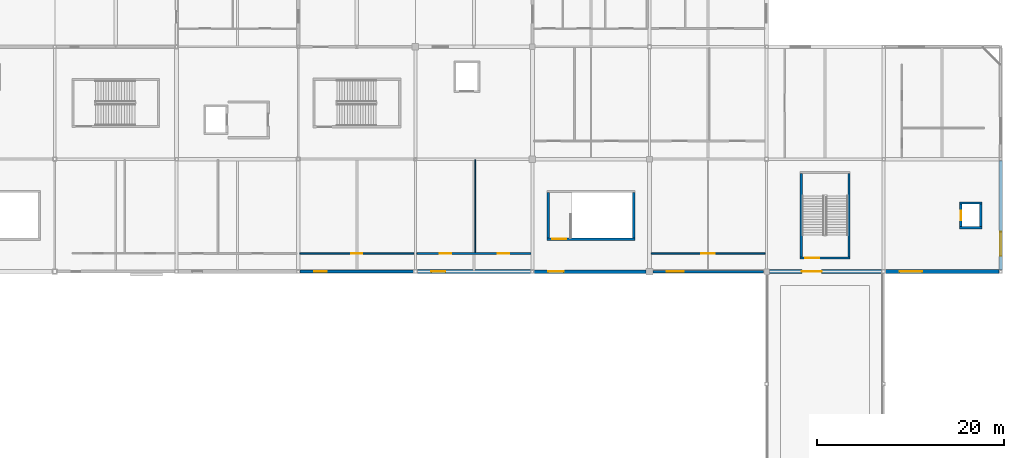
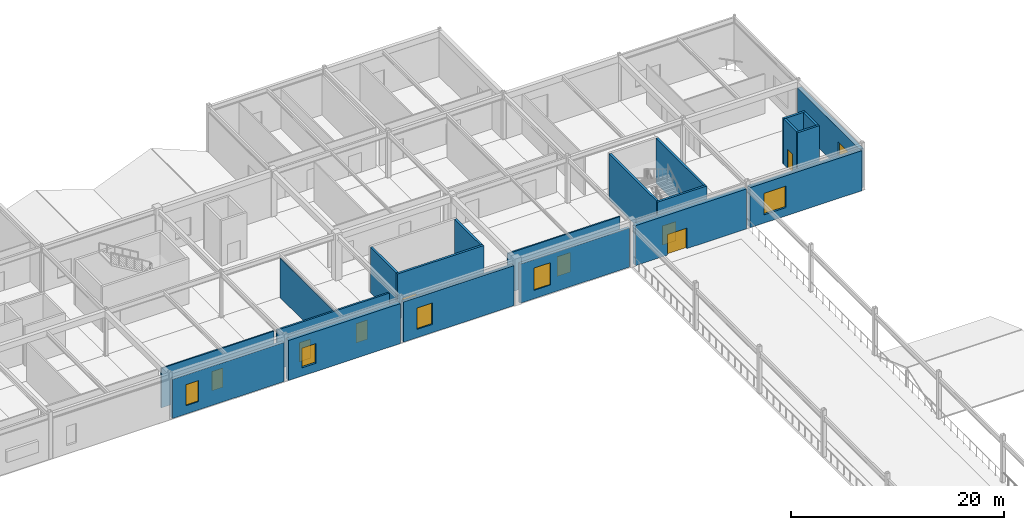
# One storey, part 79 of 105: 21 walls, 8 doors, 6 windows, 14 openings.
"""IFC4 building model written with IfcOpenShell, lengths in metres."""

import ifcopenshell
import ifcopenshell.guid

model = None  # the IFC model being written
_history = None  # IfcOwnerHistory: only IFC2X3 demands one
_inside = {}  # id of a spatial element -> (the spatial element, [elements in it])
_under = {}  # id of a project, library or spatial element -> (it, [spatial elements below it])
_declared = {}  # id of a project -> (the project, [libraries it declares])
_typed = {}  # id of a type object -> (the type object, [elements of that type])
_made_of = {}  # id of a material, layer set ... -> (it, [elements and type objects made of it])


def new_model(schema):
    """Start an empty IFC model of exactly this schema.

    Asked for "IFC4X3", IfcOpenShell would pick the latest addendum, in which some entities
    have other attributes; the version numbers below select the first issue.
    IFC2X3 requires an IfcOwnerHistory on every rooted entity: one is made here for all.
    """
    global model, _history
    if schema == "IFC4X3":
        model = ifcopenshell.file(schema_version=(4, 3, 0, 0))
    else:
        model = ifcopenshell.file(schema=schema)
    _inside.clear()
    _under.clear()
    _declared.clear()
    _typed.clear()
    _made_of.clear()
    _history = None
    if model.schema == "IFC2X3":
        org = make("IfcOrganization", Name="unknown")
        user = make(
            "IfcPersonAndOrganization",
            ThePerson=make("IfcPerson", FamilyName="unknown"),
            TheOrganization=org,
        )
        app = make(
            "IfcApplication",
            ApplicationDeveloper=org,
            Version="unknown",
            ApplicationFullName="unknown",
            ApplicationIdentifier="unknown",
        )
        _history = make(
            "IfcOwnerHistory",
            OwningUser=user,
            OwningApplication=app,
            ChangeAction="ADDED",
            CreationDate=0,
        )
    return model


def make(cls, **values):
    """One entity of the class cls with the attributes given. An attribute that is None is left unset."""
    return model.create_entity(
        cls, **{name: value for name, value in values.items() if value is not None}
    )


def rooted(cls, **values):
    """An entity with a GlobalId (a new one), such as an element, a storey or a relation."""
    return make(cls, GlobalId=ifcopenshell.guid.new(), OwnerHistory=_history, **values)


def si_unit(unit_type, name, prefix=None):
    """IfcSIUnit, for example si_unit("LENGTHUNIT", "METRE", prefix="MILLI")."""
    return make("IfcSIUnit", UnitType=unit_type, Prefix=prefix, Name=name)


def assignment(units):
    """IfcUnitAssignment: the units of a project."""
    return None if units is None else make("IfcUnitAssignment", Units=units)


def point(xyz):
    """IfcCartesianPoint."""
    return None if xyz is None else make("IfcCartesianPoint", Coordinates=xyz)


def direction(xyz):
    """IfcDirection."""
    return None if xyz is None else make("IfcDirection", DirectionRatios=xyz)


def frame(location, z_axis=None, x_axis=None):
    """IfcAxis2Placement3D, a coordinate frame: its origin and axes. An axis left out is left unset."""
    return make(
        "IfcAxis2Placement3D",
        Location=point(location),
        Axis=direction(z_axis),
        RefDirection=direction(x_axis),
    )


def frame_2d(location, x_axis=None):
    """IfcAxis2Placement2D, a coordinate frame in the plane: its origin and x axis."""
    return make(
        "IfcAxis2Placement2D", Location=point(location), RefDirection=direction(x_axis)
    )


def origin():
    """The frame at (0, 0, 0) with its axes left unset."""
    return frame((0.0, 0.0, 0.0))


def place(relative_to, where):
    """IfcLocalPlacement: puts the frame where relative to a parent placement (None: the world)."""
    return make(
        "IfcLocalPlacement", PlacementRelTo=relative_to, RelativePlacement=where
    )


def context(
    kind, dimensions, precision=None, world=None, true_north=None, identifier=None
):
    """IfcGeometricRepresentationContext, for example the 3D "Model" context."""
    return make(
        "IfcGeometricRepresentationContext",
        ContextIdentifier=identifier,
        ContextType=kind,
        CoordinateSpaceDimension=dimensions,
        Precision=precision,
        WorldCoordinateSystem=world,
        TrueNorth=true_north,
    )


def subcontext(parent, identifier, kind, view, scale=None):
    """IfcGeometricRepresentationSubContext, for example "Body" below "Model"."""
    return make(
        "IfcGeometricRepresentationSubContext",
        ContextIdentifier=identifier,
        ContextType=kind,
        ParentContext=parent,
        TargetScale=scale,
        TargetView=view,
    )


def project(units=None, contexts=None):
    """IfcProject with its units and contexts."""
    return rooted(
        "IfcProject",
        Name="project",
        RepresentationContexts=contexts,
        UnitsInContext=assignment(units),
    )


def spatial(cls, under=None, at=None, **own):
    """A site, building, storey or space (cls), placed at a placement, below another one or the project."""
    s = rooted(cls, ObjectPlacement=at, **own)
    if under is not None:
        _under.setdefault(under.id(), (under, []))[1].append(s)
    return s


def profile(cls, at=None, kind="AREA", **sizes):
    """A parametric profile (cls). Its sizes go by their IFC names, for example OverallWidth=200.0."""
    return make(cls, ProfileType=kind, Position=at, **sizes)


def rectangle(**sizes):
    """IfcRectangleProfileDef."""
    return profile("IfcRectangleProfileDef", **sizes)


def extrude(swept, where, along, depth):
    """IfcExtrudedAreaSolid: the profile swept, set in the frame where, extruded along a direction by depth."""
    return make(
        "IfcExtrudedAreaSolid",
        SweptArea=swept,
        Position=where,
        ExtrudedDirection=direction(along),
        Depth=depth,
    )


def shape(context_of_items, identifier, shape_type, items):
    """IfcShapeRepresentation: the items that make up one representation, for example the "Body"."""
    return make(
        "IfcShapeRepresentation",
        ContextOfItems=context_of_items,
        RepresentationIdentifier=identifier,
        RepresentationType=shape_type,
        Items=items,
    )


def material(Name=None, Category=None):
    """IfcMaterial."""
    return make("IfcMaterial", Name=Name, Category=Category)


def layer(
    of_material, thickness, ventilated=None, Name=None, Category=None, Priority=None
):
    """IfcMaterialLayer: one layer of a wall or slab, of a material (None: an air gap)."""
    return make(
        "IfcMaterialLayer",
        Material=of_material,
        LayerThickness=thickness,
        IsVentilated=ventilated,
        Name=Name,
        Category=Category,
        Priority=Priority,
    )


def layer_set(layers, Name=None):
    """IfcMaterialLayerSet."""
    return make("IfcMaterialLayerSet", MaterialLayers=layers, LayerSetName=Name)


def made_of(thing, what):
    """Note that an element or type object is made of a material, layer set ...; save() writes the relation."""
    if what is not None:
        _made_of.setdefault(what.id(), (what, []))[1].append(thing)
    return thing


def type_object(cls, material=None, **own):
    """A type object (cls), such as IfcWallType, which elements share."""
    return made_of(rooted(cls, **own), material)


def element(
    cls,
    number,
    at=None,
    inside=None,
    cuts=None,
    type_object=None,
    material=None,
    context=None,
    identifier="Body",
    shape_type=None,
    held_by="IfcProductDefinitionShape",
    body=None,
    shapes=None,
    **own,
):
    """One element of the class cls, such as IfcWall. Its Tag is "e" and its number.

    at: its placement. inside: the storey or other place that contains it. cuts: it is an
    opening in that element (IfcRelVoidsElement). A single representation is given by context,
    identifier, shape_type and body (its items); several are given by shapes. held_by: the class
    of the entity that holds the representations. save() writes the other relations.
    """
    e = rooted(cls, Tag="e%d" % number, ObjectPlacement=at, **own)
    if body is not None:
        shapes = [shape(context, identifier, shape_type, body)]
    if shapes is not None:
        e.Representation = make(held_by, Representations=shapes)
    if inside is not None:
        _inside.setdefault(inside.id(), (inside, []))[1].append(e)
    if cuts is not None:
        rooted(
            "IfcRelVoidsElement", RelatingBuildingElement=cuts, RelatedOpeningElement=e
        )
    if type_object is not None:
        _typed.setdefault(type_object.id(), (type_object, []))[1].append(e)
    return made_of(e, material)


def fill(opening, filler):
    """IfcRelFillsElement: the door or window that sits in an opening."""
    return rooted(
        "IfcRelFillsElement",
        RelatingOpeningElement=opening,
        RelatedBuildingElement=filler,
    )


def aggregate(whole, parts):
    """IfcRelAggregates: a whole, such as a stair, and the parts it consists of."""
    return rooted("IfcRelAggregates", RelatingObject=whole, RelatedObjects=parts)


def save(model, path):
    """Write the relations noted so far, then the file.

    IfcRelAggregates (storeys below a building ...), IfcRelContainedInSpatialStructure (elements
    in a storey), IfcRelDefinesByType, IfcRelAssociatesMaterial and IfcRelDeclares: one each for
    every whole, place, type object, material and project.
    """
    for whole, parts in _under.values():
        aggregate(whole, parts)
    for where, things in _inside.values():
        rooted(
            "IfcRelContainedInSpatialStructure",
            RelatedElements=things,
            RelatingStructure=where,
        )
    for kind, things in _typed.values():
        rooted("IfcRelDefinesByType", RelatedObjects=things, RelatingType=kind)
    for what, things in _made_of.values():
        rooted("IfcRelAssociatesMaterial", RelatedObjects=things, RelatingMaterial=what)
    for by, libraries in _declared.values():
        rooted("IfcRelDeclares", RelatingContext=by, RelatedDefinitions=libraries)
    model.write(path)


model = new_model("IFC4")

# Units and contexts
model_context = context("Model", 3, precision=1e-05, world=origin(), true_north=direction((0.0, 1.0)))
body_context = subcontext(model_context, "Body", "Model", "MODEL_VIEW")
ifc_project = project(units=[si_unit("LENGTHUNIT", "METRE"), si_unit("AREAUNIT", "SQUARE_METRE"), si_unit("VOLUMEUNIT", "CUBIC_METRE"), si_unit("PLANEANGLEUNIT", "RADIAN"), si_unit("MASSUNIT", "GRAM", prefix="KILO")], contexts=[model_context])

# Site, building, storey
site_placement = place(None, origin())
site = spatial("IfcSite", under=ifc_project, at=site_placement, CompositionType="ELEMENT")
building_placement = place(site_placement, origin())
building = spatial("IfcBuilding", under=site, at=building_placement, Name="Kazenohara Klinker Stadium", CompositionType="ELEMENT")
storey_placement = place(building_placement, frame((0.0, 0.0, 20.39990234375)))
storey = spatial("IfcBuildingStorey", under=building, at=storey_placement, Name="L04", CompositionType="ELEMENT", Elevation=20.39990234375)

# Wall, opening, door
ifc_material_1 = material(Name="Concrete C40/50", Category="concrete")
ifc_layer_1 = layer(ifc_material_1, 0.22998046875)
ifc_layer_set_1 = layer_set([ifc_layer_1], Name="Concrete C40/50")
wall_type_1 = type_object("IfcWallType", Name="WAL-CORE-230", PredefinedType="SHEAR", material=ifc_layer_set_1)
wall_1_placement = place(storey_placement, frame((178.590087890625, 133.43505859375, 0.0), z_axis=(0.0, 0.0, 1.0), x_axis=(1.0, 0.0, 0.0)))
wall_1 = element("IfcWall", 1, at=wall_1_placement, inside=storey, type_object=wall_type_1, Name="Stairwell shear wall ST12 L04 South", PredefinedType="SHEAR", context=body_context, shape_type="SweptSolid", body=[
    extrude(rectangle(XDim=5.31982421875, YDim=0.22998046875, at=frame_2d((2.659912109375, 0.0))), origin(), (0.0, 0.0, 1.0), 5.18017578125),
])
opening_1_placement = place(wall_1_placement, frame((0.550048828125, 0.0, 0.0)))
opening_1 = element("IfcOpeningElement", 2, at=opening_1_placement, cuts=wall_1, Name="Opening SD02", PredefinedType="OPENING", context=body_context, shape_type="SweptSolid", body=[
    extrude(rectangle(XDim=1.5, YDim=2.199951171875, at=frame_2d((0.75, 1.10009765625))), frame((0.0, 0.125, 0.0), z_axis=(0.0, -1.0, 0.0), x_axis=(1.0, 0.0, 0.0)), (0.0, 0.0, 1.0), 0.25),
])
ifc_material_2 = material(Name="Flush painted steel fire door leaf", Category="steel")
door_type_1 = type_object("IfcDoorType", Name="DR-STR-1500x2200", OperationType="NOTDEFINED", PredefinedType="DOOR", material=ifc_material_2)
door_1_placement = place(opening_1_placement, origin())
door_1 = element("IfcDoor", 3, at=door_1_placement, inside=storey, type_object=door_type_1, Name="Escape stairwell fire door ST12-L04", OperationType="SINGLE_SWING_LEFT", OverallHeight=2.199951171875, OverallWidth=1.5, PredefinedType="DOOR", context=body_context, shape_type="SweptSolid", body=[
    extrude(rectangle(XDim=1.5, YDim=2.199951171875, at=frame_2d((0.75, 1.10009765625))), frame((0.0, 0.02490234375, 0.0), z_axis=(0.0, -1.0, 0.0), x_axis=(1.0, 0.0, 0.0)), (0.0, 0.0, 1.0), 0.050048828125),
])
fill(opening_1, door_1)

# Walls
for number, where, z_axis, x_axis, name in (
    (4, (178.705078125, 133.550048828125, 0.0), (0.0, 0.0, 1.0), (0.0, 1.0, 0.0), "Stairwell shear wall ST12 L04 West"),
    (5, (183.794921875, 133.550048828125, 0.0), (0.0, 0.0, 1.0), (0.0, 1.0, 0.0), "Stairwell shear wall ST12 L04 East"),
):
    element("IfcWall", number, at=place(storey_placement, frame(where, z_axis=z_axis, x_axis=x_axis)), inside=storey, type_object=wall_type_1, Name=name, PredefinedType="SHEAR", context=body_context, shape_type="SweptSolid", body=[
        extrude(rectangle(XDim=8.89990234375, YDim=0.22998046875, at=frame_2d((4.449951171875, 0.0))), origin(), (0.0, 0.0, 1.0), 5.18017578125),
    ])

# Wall, opening, door
wall_2_placement = place(storey_placement, frame((151.570068359375, 135.455078125, 0.0), z_axis=(0.0, 0.0, 1.0), x_axis=(1.0, 0.0, 0.0)))
wall_2 = element("IfcWall", 6, at=wall_2_placement, inside=storey, type_object=wall_type_1, Name="Stairwell shear wall ST20 L04 South", PredefinedType="SHEAR", context=body_context, shape_type="SweptSolid", body=[
    extrude(rectangle(XDim=9.35986328125, YDim=0.22998046875, at=frame_2d((4.679931640625, 0.0))), origin(), (0.0, 0.0, 1.0), 5.18017578125),
])
opening_2_placement = place(wall_2_placement, frame((0.550048828125, 0.0, 0.0)))
opening_2 = element("IfcOpeningElement", 7, at=opening_2_placement, cuts=wall_2, Name="Opening SD02", PredefinedType="OPENING", context=body_context, shape_type="SweptSolid", body=[
    extrude(rectangle(XDim=1.5, YDim=2.199951171875, at=frame_2d((0.75, 1.10009765625))), frame((0.0, 0.125, 0.0), z_axis=(0.0, -1.0, 0.0), x_axis=(1.0, 0.0, 0.0)), (0.0, 0.0, 1.0), 0.25),
])
door_2_placement = place(opening_2_placement, origin())
door_2 = element("IfcDoor", 8, at=door_2_placement, inside=storey, type_object=door_type_1, Name="Escape stairwell fire door ST20-L04", OperationType="SINGLE_SWING_RIGHT", OverallHeight=2.199951171875, OverallWidth=1.5, PredefinedType="DOOR", context=body_context, shape_type="SweptSolid", body=[
    extrude(rectangle(XDim=1.5, YDim=2.199951171875, at=frame_2d((0.75, 1.10009765625))), frame((0.0, 0.02490234375, 0.0), z_axis=(0.0, -1.0, 0.0), x_axis=(1.0, 0.0, 0.0)), (0.0, 0.0, 1.0), 0.050048828125),
])
fill(opening_2, door_2)

# Walls
for number, where, z_axis, x_axis, name in (
    (9, (151.68505859375, 135.570068359375, 0.0), (0.0, 0.0, 1.0), (0.0, 1.0, 0.0), "Stairwell shear wall ST20 L04 West"),
    (10, (160.81494140625, 135.570068359375, 0.0), (0.0, 0.0, 1.0), (0.0, 1.0, 0.0), "Stairwell shear wall ST20 L04 East"),
):
    element("IfcWall", number, at=place(storey_placement, frame(where, z_axis=z_axis, x_axis=x_axis)), inside=storey, type_object=wall_type_1, Name=name, PredefinedType="SHEAR", context=body_context, shape_type="SweptSolid", body=[
        extrude(rectangle(XDim=4.85986328125, YDim=0.22998046875, at=frame_2d((2.429931640625, 0.0))), origin(), (0.0, 0.0, 1.0), 5.18017578125),
    ])
for number, where, z_axis, x_axis, name in (
    (11, (195.6201171875, 136.68505859375, 0.0), (0.0, 0.0, 1.0), (1.0, 0.0, 0.0), "Elevator shaft wall LP05 L04 South"),
    (12, (195.6201171875, 139.31494140625, 0.0), (0.0, 0.0, 1.0), (1.0, 0.0, 0.0), "Elevator shaft wall LP05 L04 North"),
):
    element("IfcWall", number, at=place(storey_placement, frame(where, z_axis=z_axis, x_axis=x_axis)), inside=storey, type_object=wall_type_1, Name=name, PredefinedType="SHEAR", context=body_context, shape_type="SweptSolid", body=[
        extrude(rectangle(XDim=2.35986328125, YDim=0.22998046875, at=frame_2d((1.179931640625, 0.0))), origin(), (0.0, 0.0, 1.0), 5.18017578125),
    ])

# Wall, opening, door
wall_3_placement = place(storey_placement, frame((195.735107421875, 136.800048828125, 0.0), z_axis=(0.0, 0.0, 1.0), x_axis=(0.0, 1.0, 0.0)))
wall_3 = element("IfcWall", 13, at=wall_3_placement, inside=storey, type_object=wall_type_1, Name="Elevator shaft wall LP05 L04 West", PredefinedType="SHEAR", context=body_context, shape_type="SweptSolid", body=[
    extrude(rectangle(XDim=2.39990234375, YDim=0.22998046875, at=frame_2d((1.199951171875, 0.0))), origin(), (0.0, 0.0, 1.0), 5.18017578125),
])
opening_3_placement = place(wall_3_placement, frame((0.699951171875, 0.0, 0.0)))
opening_3 = element("IfcOpeningElement", 14, at=opening_3_placement, cuts=wall_3, Name="Opening LD02", PredefinedType="OPENING", context=body_context, shape_type="SweptSolid", body=[
    extrude(rectangle(XDim=1.0, YDim=2.14990234375, at=frame_2d((0.5, 1.074951171875))), frame((0.0, 0.125, 0.0), z_axis=(0.0, -1.0, 0.0), x_axis=(1.0, 0.0, 0.0)), (0.0, 0.0, 1.0), 0.25),
])
ifc_material_3 = material(Name="Stainless steel sliding landing door", Category="steel")
door_type_2 = type_object("IfcDoorType", Name="DR-LD02-1000x2150", OperationType="NOTDEFINED", PredefinedType="DOOR", material=ifc_material_3)
door_3_placement = place(opening_3_placement, origin())
door_3 = element("IfcDoor", 15, at=door_3_placement, inside=storey, type_object=door_type_2, Name="Elevator sliding landing door LP05-L04", OperationType="DOUBLE_DOOR_SLIDING", OverallHeight=2.14990234375, OverallWidth=1.0, PredefinedType="DOOR", context=body_context, shape_type="SweptSolid", body=[
    extrude(rectangle(XDim=1.0, YDim=2.14990234375, at=frame_2d((0.5, 1.074951171875))), frame((0.0, 0.02490234375, 0.0), z_axis=(0.0, -1.0, 0.0), x_axis=(1.0, 0.0, 0.0)), (0.0, 0.0, 1.0), 0.050048828125),
])
fill(opening_3, door_3)

# Wall
wall_4_placement = place(storey_placement, frame((197.864990234375, 136.800048828125, 0.0), z_axis=(0.0, 0.0, 1.0), x_axis=(0.0, 1.0, 0.0)))
element("IfcWall", 16, at=wall_4_placement, inside=storey, type_object=wall_type_1, Name="Elevator shaft wall LP05 L04 East", PredefinedType="SHEAR", context=body_context, shape_type="SweptSolid", body=[
    extrude(rectangle(XDim=2.39990234375, YDim=0.22998046875, at=frame_2d((1.199951171875, 0.0))), origin(), (0.0, 0.0, 1.0), 5.18017578125),
])

# Wall, opening, window
ifc_material_4 = material(Name="Clinker brick masonry", Category="masonry")
ifc_layer_2 = layer(ifc_material_4, 0.280029296875)
ifc_layer_set_2 = layer_set([ifc_layer_2], Name="Clinker brick masonry")
wall_type_2 = type_object("IfcWallType", Name="WAL-EXT-CB280", PredefinedType="SOLIDWALL", material=ifc_layer_set_2)
wall_5_placement = place(storey_placement, frame((162.85400390625, 132.0, 0.0), z_axis=(0.0, 0.0, 1.0), x_axis=(1.0, 0.0, 0.0)))
wall_5 = element("IfcWall", 17, at=wall_5_placement, inside=storey, type_object=wall_type_2, Name="Clinker brick cavity wall EW06 L04 X13-11", PredefinedType="SOLIDWALL", context=body_context, shape_type="SweptSolid", body=[
    extrude(rectangle(XDim=11.842041015625, YDim=0.280029296875, at=frame_2d((5.9208984375, 0.0))), origin(), (0.0, 0.0, 1.0), 4.47998046875),
])
opening_4_placement = place(wall_5_placement, frame((1.5, 0.0, 0.949951171875)))
opening_4 = element("IfcOpeningElement", 18, at=opening_4_placement, cuts=wall_5, Name="Opening W15", PredefinedType="OPENING", context=body_context, shape_type="SweptSolid", body=[
    extrude(rectangle(XDim=1.800048828125, YDim=2.550048828125, at=frame_2d((0.89990234375, 1.27490234375))), frame((0.0, 0.14990234375, 0.0), z_axis=(0.0, -1.0, 0.0), x_axis=(1.0, 0.0, 0.0)), (0.0, 0.0, 1.0), 0.300048828125),
])
ifc_material_5 = material(Name="Dark bronze aluminium frame and triple glazing", Category="aluminium")
window_type_1 = type_object("IfcWindowType", Name="WIN-AS-15", PartitioningType="SINGLE_PANEL", PredefinedType="WINDOW", material=ifc_material_5)
window_1_placement = place(opening_4_placement, origin())
window_1 = element("IfcWindow", 19, at=window_1_placement, inside=storey, type_object=window_type_1, Name="Horizontal-mullion ladder window W15 L04 X13-11", OverallHeight=2.550048828125, OverallWidth=1.800048828125, PartitioningType="SINGLE_PANEL", PredefinedType="WINDOW", context=body_context, shape_type="SweptSolid", body=[
    extrude(rectangle(XDim=1.800048828125, YDim=2.550048828125, at=frame_2d((0.89990234375, 1.27490234375))), frame((0.0, 0.030029296875, 0.0), z_axis=(0.0, -1.0, 0.0), x_axis=(1.0, 0.0, 0.0)), (0.0, 0.0, 1.0), 0.06005859375),
])
fill(opening_4, window_1)

ifc_layer_3 = layer(ifc_material_4, 0.31005859375)
ifc_layer_set_3 = layer_set([ifc_layer_3], Name="Clinker brick masonry")
wall_type_3 = type_object("IfcWallType", Name="WAL-EXT-CB310", PredefinedType="SOLIDWALL", material=ifc_layer_set_3)
wall_6_placement = place(storey_placement, frame((125.178955078125, 132.0, 0.0), z_axis=(0.0, 0.0, 1.0), x_axis=(1.0, 0.0, 0.0)))
wall_6 = element("IfcWall", 20, at=wall_6_placement, inside=storey, type_object=wall_type_3, Name="Clinker brick cavity wall EW05 L04 X10-11", PredefinedType="SOLIDWALL", context=body_context, shape_type="SweptSolid", body=[
    extrude(rectangle(XDim=12.116943359375, YDim=0.31005859375, at=frame_2d((6.05859375, 0.0))), origin(), (0.0, 0.0, 1.0), 4.47998046875),
])
opening_5_placement = place(wall_6_placement, frame((1.5, 0.0, 0.949951171875)))
opening_5 = element("IfcOpeningElement", 21, at=opening_5_placement, cuts=wall_6, Name="Opening W08", PredefinedType="OPENING", context=body_context, shape_type="SweptSolid", body=[
    extrude(rectangle(XDim=1.35009765625, YDim=2.39990234375, at=frame_2d((0.675048828125, 1.199951171875))), frame((0.0, 0.1650390625, 0.0), z_axis=(0.0, -1.0, 0.0), x_axis=(1.0, 0.0, 0.0)), (0.0, 0.0, 1.0), 0.330078125),
])
window_type_2 = type_object("IfcWindowType", Name="WIN-AS-08", PartitioningType="SINGLE_PANEL", PredefinedType="WINDOW", material=ifc_material_5)
window_2_placement = place(opening_5_placement, origin())
window_2 = element("IfcWindow", 22, at=window_2_placement, inside=storey, type_object=window_type_2, Name="Horizontal-mullion ladder window W08 L04 X10-11", OverallHeight=2.39990234375, OverallWidth=1.35009765625, PartitioningType="SINGLE_PANEL", PredefinedType="WINDOW", context=body_context, shape_type="SweptSolid", body=[
    extrude(rectangle(XDim=1.35009765625, YDim=2.39990234375, at=frame_2d((0.675048828125, 1.199951171875))), frame((0.0, 0.030029296875, 0.0), z_axis=(0.0, -1.0, 0.0), x_axis=(1.0, 0.0, 0.0)), (0.0, 0.0, 1.0), 0.06005859375),
])
fill(opening_5, window_2)

ifc_layer_4 = layer(ifc_material_4, 0.3701171875)
ifc_layer_set_4 = layer_set([ifc_layer_4], Name="Clinker brick masonry")
wall_type_4 = type_object("IfcWallType", Name="WAL-EXT-CB370", PredefinedType="SOLIDWALL", material=ifc_layer_set_4)
wall_7_placement = place(storey_placement, frame((150.178955078125, 132.0, 0.0), z_axis=(0.0, 0.0, 1.0), x_axis=(1.0, 0.0, 0.0)))
wall_7 = element("IfcWall", 23, at=wall_7_placement, inside=storey, type_object=wall_type_4, Name="Clinker brick cavity wall EW03 L04 X12-11", PredefinedType="SOLIDWALL", context=body_context, shape_type="SweptSolid", body=[
    extrude(rectangle(XDim=11.967041015625, YDim=0.3701171875, at=frame_2d((5.9833984375, 0.0))), origin(), (0.0, 0.0, 1.0), 4.592041015625),
])
opening_6_placement = place(wall_7_placement, frame((1.5, 0.0, 0.949951171875)))
opening_6 = element("IfcOpeningElement", 24, at=opening_6_placement, cuts=wall_7, Name="Opening W12", PredefinedType="OPENING", context=body_context, shape_type="SweptSolid", body=[
    extrude(rectangle(XDim=1.64990234375, YDim=2.449951171875, at=frame_2d((0.824951171875, 1.22509765625))), frame((0.0, 0.195068359375, 0.0), z_axis=(0.0, -1.0, 0.0), x_axis=(1.0, 0.0, 0.0)), (0.0, 0.0, 1.0), 0.39013671875),
])
window_type_3 = type_object("IfcWindowType", Name="WIN-AS-12", PartitioningType="SINGLE_PANEL", PredefinedType="WINDOW", material=ifc_material_5)
window_3_placement = place(opening_6_placement, origin())
window_3 = element("IfcWindow", 25, at=window_3_placement, inside=storey, type_object=window_type_3, Name="Horizontal-mullion ladder window W12 L04 X12-11", OverallHeight=2.449951171875, OverallWidth=1.64990234375, PartitioningType="SINGLE_PANEL", PredefinedType="WINDOW", context=body_context, shape_type="SweptSolid", body=[
    extrude(rectangle(XDim=1.64990234375, YDim=2.449951171875, at=frame_2d((0.824951171875, 1.22509765625))), frame((0.0, 0.030029296875, 0.0), z_axis=(0.0, -1.0, 0.0), x_axis=(1.0, 0.0, 0.0)), (0.0, 0.0, 1.0), 0.06005859375),
])
fill(opening_6, window_3)

ifc_layer_5 = layer(ifc_material_4, 0.409912109375)
ifc_layer_set_5 = layer_set([ifc_layer_5], Name="Clinker brick masonry")
wall_type_5 = type_object("IfcWallType", Name="WAL-EXT-CB410", PredefinedType="SOLIDWALL", material=ifc_layer_set_5)
wall_8_placement = place(storey_placement, frame((200.0, 132.178955078125, 0.0), z_axis=(0.0, 0.0, 1.0), x_axis=(0.0, 1.0, 0.0)))
wall_8 = element("IfcWall", 26, at=wall_8_placement, inside=storey, type_object=wall_type_5, Name="Clinker brick cavity wall EW02 L04 Y16-11", PredefinedType="SOLIDWALL", context=body_context, shape_type="SweptSolid", body=[
    extrude(rectangle(XDim=11.6669921875, YDim=0.409912109375, at=frame_2d((5.83349609375, 0.0))), origin(), (0.0, 0.0, 1.0), 4.47998046875),
])
opening_7_placement = place(wall_8_placement, frame((1.5, 0.0, 0.949951171875)))
opening_7 = element("IfcOpeningElement", 27, at=opening_7_placement, cuts=wall_8, Name="Opening W26", PredefinedType="OPENING", context=body_context, shape_type="SweptSolid", body=[
    extrude(rectangle(XDim=2.550048828125, YDim=1.949951171875, at=frame_2d((1.27490234375, 0.97509765625))), frame((0.0, 0.21484375, 0.0), z_axis=(0.0, -1.0, 0.0), x_axis=(1.0, 0.0, 0.0)), (0.0, 0.0, 1.0), 0.429931640625),
])
window_type_4 = type_object("IfcWindowType", Name="WIN-AS-26", PartitioningType="SINGLE_PANEL", PredefinedType="WINDOW", material=ifc_material_5)
window_4_placement = place(opening_7_placement, origin())
window_4 = element("IfcWindow", 28, at=window_4_placement, inside=storey, type_object=window_type_4, Name="Horizontal-mullion ladder window W26 L04 Y16-11", OverallHeight=1.949951171875, OverallWidth=2.550048828125, PartitioningType="SINGLE_PANEL", PredefinedType="WINDOW", context=body_context, shape_type="SweptSolid", body=[
    extrude(rectangle(XDim=2.550048828125, YDim=1.949951171875, at=frame_2d((1.27490234375, 0.97509765625))), frame((0.0, 0.030029296875, 0.0), z_axis=(0.0, -1.0, 0.0), x_axis=(1.0, 0.0, 0.0)), (0.0, 0.0, 1.0), 0.06005859375),
])
fill(opening_7, window_4)

ifc_layer_6 = layer(ifc_material_4, 0.449951171875)
ifc_layer_set_6 = layer_set([ifc_layer_6], Name="Clinker brick masonry")
wall_type_6 = type_object("IfcWallType", Name="WAL-EXT-CB450", PredefinedType="SOLIDWALL", material=ifc_layer_set_6)
wall_9_placement = place(storey_placement, frame((137.7041015625, 132.0, 0.0), z_axis=(0.0, 0.0, 1.0), x_axis=(1.0, 0.0, 0.0)))
wall_9 = element("IfcWall", 29, at=wall_9_placement, inside=storey, type_object=wall_type_6, Name="Clinker brick cavity wall EW01 L04 X11-11", PredefinedType="SOLIDWALL", context=body_context, shape_type="SweptSolid", body=[
    extrude(rectangle(XDim=12.116943359375, YDim=0.449951171875, at=frame_2d((6.05859375, 0.0))), origin(), (0.0, 0.0, 1.0), 4.580078125),
])
opening_8_placement = place(wall_9_placement, frame((1.5, 0.0, 0.949951171875)))
opening_8 = element("IfcOpeningElement", 30, at=opening_8_placement, cuts=wall_9, Name="Opening W10", PredefinedType="OPENING", context=body_context, shape_type="SweptSolid", body=[
    extrude(rectangle(XDim=1.5, YDim=2.25, at=frame_2d((0.75, 1.125))), frame((0.0, 0.23486328125, 0.0), z_axis=(0.0, -1.0, 0.0), x_axis=(1.0, 0.0, 0.0)), (0.0, 0.0, 1.0), 0.469970703125),
])
window_type_5 = type_object("IfcWindowType", Name="WIN-AS-10", PartitioningType="SINGLE_PANEL", PredefinedType="WINDOW", material=ifc_material_5)
window_5_placement = place(opening_8_placement, origin())
window_5 = element("IfcWindow", 31, at=window_5_placement, inside=storey, type_object=window_type_5, Name="Horizontal-mullion ladder window W10 L04 X11-11", OverallHeight=2.25, OverallWidth=1.5, PartitioningType="SINGLE_PANEL", PredefinedType="WINDOW", context=body_context, shape_type="SweptSolid", body=[
    extrude(rectangle(XDim=1.5, YDim=2.25, at=frame_2d((0.75, 1.125))), frame((0.0, 0.030029296875, 0.0), z_axis=(0.0, -1.0, 0.0), x_axis=(1.0, 0.0, 0.0)), (0.0, 0.0, 1.0), 0.06005859375),
])
fill(opening_8, window_5)

# Wall, opening, door
wall_10_placement = place(storey_placement, frame((175.303955078125, 132.0, 0.0), z_axis=(0.0, 0.0, 1.0), x_axis=(1.0, 0.0, 0.0)))
wall_10 = element("IfcWall", 32, at=wall_10_placement, inside=storey, type_object=wall_type_6, Name="Clinker brick cavity wall EW01 L04 X14-11", PredefinedType="SOLIDWALL", context=body_context, shape_type="SweptSolid", body=[
    extrude(rectangle(XDim=11.991943359375, YDim=0.449951171875, at=frame_2d((5.99609375, 0.0))), origin(), (0.0, 0.0, 1.0), 4.580078125),
])
opening_9_placement = place(wall_10_placement, frame((5.562255859375, 0.0, 0.0), z_axis=(0.0, 0.0, 1.0), x_axis=(-1.0, 0.0, 0.0)))
opening_9 = element("IfcOpeningElement", 33, at=opening_9_placement, cuts=wall_10, Name="Opening TD02", PredefinedType="OPENING", context=body_context, shape_type="SweptSolid", body=[
    extrude(rectangle(XDim=2.10009765625, YDim=2.35009765625, at=frame_2d((1.050048828125, 1.175048828125))), frame((0.0, 0.23486328125, 0.0), z_axis=(0.0, -1.0, 0.0), x_axis=(1.0, 0.0, 0.0)), (0.0, 0.0, 1.0), 0.469970703125),
])
ifc_material_6 = material(Name="Thermally broken aluminium and triple glazing", Category="aluminium")
door_type_3 = type_object("IfcDoorType", Name="DR-TER-2100x2350", OperationType="NOTDEFINED", PredefinedType="DOOR", material=ifc_material_6)
door_4_placement = place(opening_9_placement, origin())
door_4 = element("IfcDoor", 34, at=door_4_placement, inside=storey, type_object=door_type_3, Name="East roof garden terrace door TDE-02", OperationType="DOUBLE_DOOR_SINGLE_SWING", OverallHeight=2.35009765625, OverallWidth=2.10009765625, PredefinedType="DOOR", context=body_context, shape_type="SweptSolid", body=[
    extrude(rectangle(XDim=2.10009765625, YDim=2.35009765625, at=frame_2d((1.050048828125, 1.175048828125))), frame((0.0, 0.02490234375, 0.0), z_axis=(0.0, -1.0, 0.0), x_axis=(1.0, 0.0, 0.0)), (0.0, 0.0, 1.0), 0.050048828125),
])
fill(opening_9, door_4)

# Wall, opening, window
wall_11_placement = place(storey_placement, frame((187.7041015625, 132.0, 0.0), z_axis=(0.0, 0.0, 1.0), x_axis=(1.0, 0.0, 0.0)))
wall_11 = element("IfcWall", 35, at=wall_11_placement, inside=storey, type_object=wall_type_6, Name="Clinker brick cavity wall EW01 L04 X15-11", PredefinedType="SOLIDWALL", context=body_context, shape_type="SweptSolid", body=[
    extrude(rectangle(XDim=12.116943359375, YDim=0.449951171875, at=frame_2d((6.05859375, 0.0))), origin(), (0.0, 0.0, 1.0), 4.592041015625),
])
opening_10_placement = place(wall_11_placement, frame((1.5, 0.0, 0.949951171875)))
opening_10 = element("IfcOpeningElement", 36, at=opening_10_placement, cuts=wall_11, Name="Opening W25", PredefinedType="OPENING", context=body_context, shape_type="SweptSolid", body=[
    extrude(rectangle(XDim=2.39990234375, YDim=2.449951171875, at=frame_2d((1.199951171875, 1.22509765625))), frame((0.0, 0.23486328125, 0.0), z_axis=(0.0, -1.0, 0.0), x_axis=(1.0, 0.0, 0.0)), (0.0, 0.0, 1.0), 0.469970703125),
])
window_type_6 = type_object("IfcWindowType", Name="WIN-AS-25", PartitioningType="SINGLE_PANEL", PredefinedType="WINDOW", material=ifc_material_5)
window_6_placement = place(opening_10_placement, origin())
window_6 = element("IfcWindow", 37, at=window_6_placement, inside=storey, type_object=window_type_6, Name="Horizontal-mullion ladder window W25 L04 X15-11", OverallHeight=2.449951171875, OverallWidth=2.39990234375, PartitioningType="SINGLE_PANEL", PredefinedType="WINDOW", context=body_context, shape_type="SweptSolid", body=[
    extrude(rectangle(XDim=2.39990234375, YDim=2.449951171875, at=frame_2d((1.199951171875, 1.22509765625))), frame((0.0, 0.030029296875, 0.0), z_axis=(0.0, -1.0, 0.0), x_axis=(1.0, 0.0, 0.0)), (0.0, 0.0, 1.0), 0.06005859375),
])
fill(opening_10, window_6)

# Wall
ifc_material_7 = material(Name="Fire-rated gypsum board on acoustic studs", Category="gypsum")
ifc_layer_7 = layer(ifc_material_7, 0.110107421875)
ifc_layer_set_7 = layer_set([ifc_layer_7], Name="Fire-rated gypsum board on acoustic studs")
wall_type_7 = type_object("IfcWallType", Name="WAL-INT-P110", PredefinedType="PARTITIONING", material=ifc_layer_set_7)
wall_12_placement = place(storey_placement, frame((143.871826171875, 134.0400390625, 0.0), z_axis=(0.0, 0.0, 1.0), x_axis=(0.0, 1.0, 0.0)))
element("IfcWall", 38, at=wall_12_placement, inside=storey, type_object=wall_type_7, Name="Interior partition wall PT01 SPC-L04-11-11-1-2", PredefinedType="PARTITIONING", context=body_context, shape_type="SweptSolid", body=[
    extrude(rectangle(XDim=9.8798828125, YDim=0.110107421875, at=frame_2d((4.93994140625, 0.0))), origin(), (0.0, 0.0, 1.0), 4.52001953125),
])

# Wall, opening, door
ifc_layer_8 = layer(ifc_material_7, 0.14990234375)
ifc_layer_set_8 = layer_set([ifc_layer_8], Name="Fire-rated gypsum board on acoustic studs")
wall_type_8 = type_object("IfcWallType", Name="WAL-INT-P150", PredefinedType="PARTITIONING", material=ifc_layer_set_8)
wall_13_placement = place(storey_placement, frame((125.159912109375, 133.93994140625, 0.0), z_axis=(0.0, 0.0, 1.0), x_axis=(1.0, 0.0, 0.0)))
wall_13 = element("IfcWall", 39, at=wall_13_placement, inside=storey, type_object=wall_type_8, Name="Interior partition wall PT04 SPC-L04-10-11-1-1", PredefinedType="PARTITIONING", context=body_context, shape_type="SweptSolid", body=[
    extrude(rectangle(XDim=12.18017578125, YDim=0.14990234375, at=frame_2d((6.090087890625, 0.0))), origin(), (0.0, 0.0, 1.0), 4.52001953125),
])
opening_11_placement = place(wall_13_placement, frame((5.5, 0.0, 0.0)))
opening_11 = element("IfcOpeningElement", 40, at=opening_11_placement, cuts=wall_13, Name="Opening ID11", PredefinedType="OPENING", context=body_context, shape_type="SweptSolid", body=[
    extrude(rectangle(XDim=1.179931640625, YDim=2.199951171875, at=frame_2d((0.58984375, 1.10009765625))), frame((0.0, 0.0849609375, 0.0), z_axis=(0.0, -1.0, 0.0), x_axis=(1.0, 0.0, 0.0)), (0.0, 0.0, 1.0), 0.169921875),
])
ifc_material_8 = material(Name="Solid-core Hokkaido oak fire door", Category="wood")
door_type_4 = type_object("IfcDoorType", Name="DR-INT-11", OperationType="NOTDEFINED", PredefinedType="DOOR", material=ifc_material_8)
door_5_placement = place(opening_11_placement, origin())
door_5 = element("IfcDoor", 41, at=door_5_placement, inside=storey, type_object=door_type_4, Name="Interior door ID11 Executive Club Dining Suite L04-1011A", OperationType="SINGLE_SWING_RIGHT", OverallHeight=2.199951171875, OverallWidth=1.179931640625, PredefinedType="DOOR", context=body_context, shape_type="SweptSolid", body=[
    extrude(rectangle(XDim=1.179931640625, YDim=2.199951171875, at=frame_2d((0.58984375, 1.10009765625))), frame((0.0, 0.02490234375, 0.0), z_axis=(0.0, -1.0, 0.0), x_axis=(1.0, 0.0, 0.0)), (0.0, 0.0, 1.0), 0.050048828125),
])
fill(opening_11, door_5)

wall_14_placement = place(storey_placement, frame((162.659912109375, 133.93994140625, 0.0), z_axis=(0.0, 0.0, 1.0), x_axis=(1.0, 0.0, 0.0)))
wall_14 = element("IfcWall", 42, at=wall_14_placement, inside=storey, type_object=wall_type_8, Name="Interior partition wall PT04 SPC-L04-13-11-1-1", PredefinedType="PARTITIONING", context=body_context, shape_type="SweptSolid", body=[
    extrude(rectangle(XDim=12.18017578125, YDim=0.14990234375, at=frame_2d((6.090087890625, 0.0))), origin(), (0.0, 0.0, 1.0), 4.52001953125),
])
opening_12_placement = place(wall_14_placement, frame((5.3701171875, 0.0, 0.0)))
opening_12 = element("IfcOpeningElement", 43, at=opening_12_placement, cuts=wall_14, Name="Opening ID19", PredefinedType="OPENING", context=body_context, shape_type="SweptSolid", body=[
    extrude(rectangle(XDim=1.43994140625, YDim=2.260009765625, at=frame_2d((0.719970703125, 1.1298828125))), frame((0.0, 0.0849609375, 0.0), z_axis=(0.0, -1.0, 0.0), x_axis=(1.0, 0.0, 0.0)), (0.0, 0.0, 1.0), 0.169921875),
])
ifc_material_9 = material(Name="Painted steel plant fire door", Category="steel")
door_type_5 = type_object("IfcDoorType", Name="DR-INT-19", OperationType="NOTDEFINED", PredefinedType="DOOR", material=ifc_material_9)
door_6_placement = place(opening_12_placement, origin())
door_6 = element("IfcDoor", 44, at=door_6_placement, inside=storey, type_object=door_type_5, Name="Interior door ID19 Roof Garden Culinary Catering Kitchen L04-1311A", OperationType="SINGLE_SWING_RIGHT", OverallHeight=2.260009765625, OverallWidth=1.43994140625, PredefinedType="DOOR", context=body_context, shape_type="SweptSolid", body=[
    extrude(rectangle(XDim=1.43994140625, YDim=2.260009765625, at=frame_2d((0.719970703125, 1.1298828125))), frame((0.0, 0.02490234375, 0.0), z_axis=(0.0, -1.0, 0.0), x_axis=(1.0, 0.0, 0.0)), (0.0, 0.0, 1.0), 0.050048828125),
])
fill(opening_12, door_6)

# Wall, openings, doors
ifc_layer_9 = layer(ifc_material_7, 0.18994140625)
ifc_layer_set_9 = layer_set([ifc_layer_9], Name="Fire-rated gypsum board on acoustic studs")
wall_type_9 = type_object("IfcWallType", Name="WAL-INT-P190", PredefinedType="PARTITIONING", material=ifc_layer_set_9)
wall_15_placement = place(storey_placement, frame((137.659912109375, 133.93994140625, 0.0), z_axis=(0.0, 0.0, 1.0), x_axis=(1.0, 0.0, 0.0)))
wall_15 = element("IfcWall", 45, at=wall_15_placement, inside=storey, type_object=wall_type_9, Name="Interior partition wall PT06 SPC-L04-11-11-1-1", PredefinedType="PARTITIONING", context=body_context, shape_type="SweptSolid", body=[
    extrude(rectangle(XDim=12.18017578125, YDim=0.18994140625, at=frame_2d((6.090087890625, 0.0))), origin(), (0.0, 0.0, 1.0), 4.52001953125),
])
opening_13_placement = place(wall_15_placement, frame((2.4609375, 0.0, 0.0)))
opening_13 = element("IfcOpeningElement", 46, at=opening_13_placement, cuts=wall_15, Name="Opening ID12", PredefinedType="OPENING", context=body_context, shape_type="SweptSolid", body=[
    extrude(rectangle(XDim=1.2099609375, YDim=2.179931640625, at=frame_2d((0.60498046875, 1.08984375))), frame((0.0, 0.10498046875, 0.0), z_axis=(0.0, -1.0, 0.0), x_axis=(1.0, 0.0, 0.0)), (0.0, 0.0, 1.0), 0.2099609375),
])
opening_14_placement = place(wall_15_placement, frame((8.615966796875, 0.0, 0.0)))
opening_14 = element("IfcOpeningElement", 47, at=opening_14_placement, cuts=wall_15, Name="Opening ID13", PredefinedType="OPENING", context=body_context, shape_type="SweptSolid", body=[
    extrude(rectangle(XDim=1.239990234375, YDim=2.219970703125, at=frame_2d((0.6201171875, 1.10986328125))), frame((0.0, 0.10498046875, 0.0), z_axis=(0.0, -1.0, 0.0), x_axis=(1.0, 0.0, 0.0)), (0.0, 0.0, 1.0), 0.2099609375),
])
door_type_6 = type_object("IfcDoorType", Name="DR-INT-12", OperationType="NOTDEFINED", PredefinedType="DOOR", material=ifc_material_8)
door_7_placement = place(opening_13_placement, origin())
door_7 = element("IfcDoor", 48, at=door_7_placement, inside=storey, type_object=door_type_6, Name="Interior door ID12 Terrace Garden Sky Banquet Hall L04-1111A", OperationType="SINGLE_SWING_LEFT", OverallHeight=2.179931640625, OverallWidth=1.2099609375, PredefinedType="DOOR", context=body_context, shape_type="SweptSolid", body=[
    extrude(rectangle(XDim=1.2099609375, YDim=2.179931640625, at=frame_2d((0.60498046875, 1.08984375))), frame((0.0, 0.02490234375, 0.0), z_axis=(0.0, -1.0, 0.0), x_axis=(1.0, 0.0, 0.0)), (0.0, 0.0, 1.0), 0.050048828125),
])
fill(opening_13, door_7)
door_type_7 = type_object("IfcDoorType", Name="DR-INT-13", OperationType="NOTDEFINED", PredefinedType="DOOR", material=ifc_material_8)
door_8_placement = place(opening_14_placement, origin())
door_8 = element("IfcDoor", 49, at=door_8_placement, inside=storey, type_object=door_type_7, Name="Interior door ID13 Executive Club Dining Suite L04-1111B", OperationType="SINGLE_SWING_RIGHT", OverallHeight=2.219970703125, OverallWidth=1.239990234375, PredefinedType="DOOR", context=body_context, shape_type="SweptSolid", body=[
    extrude(rectangle(XDim=1.239990234375, YDim=2.219970703125, at=frame_2d((0.6201171875, 1.10986328125))), frame((0.0, 0.02490234375, 0.0), z_axis=(0.0, -1.0, 0.0), x_axis=(1.0, 0.0, 0.0)), (0.0, 0.0, 1.0), 0.050048828125),
])
fill(opening_14, door_8)

save(model, "model.ifc")
